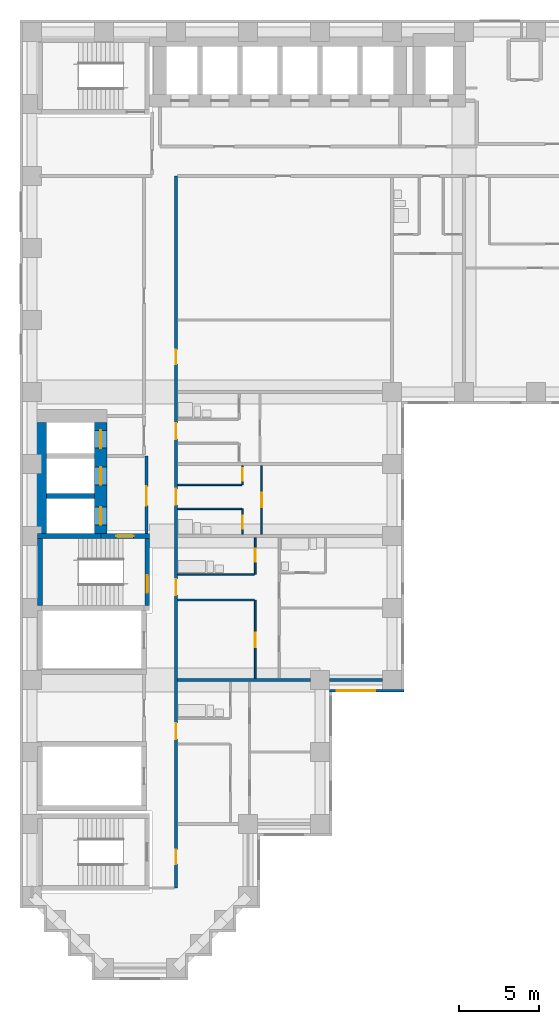
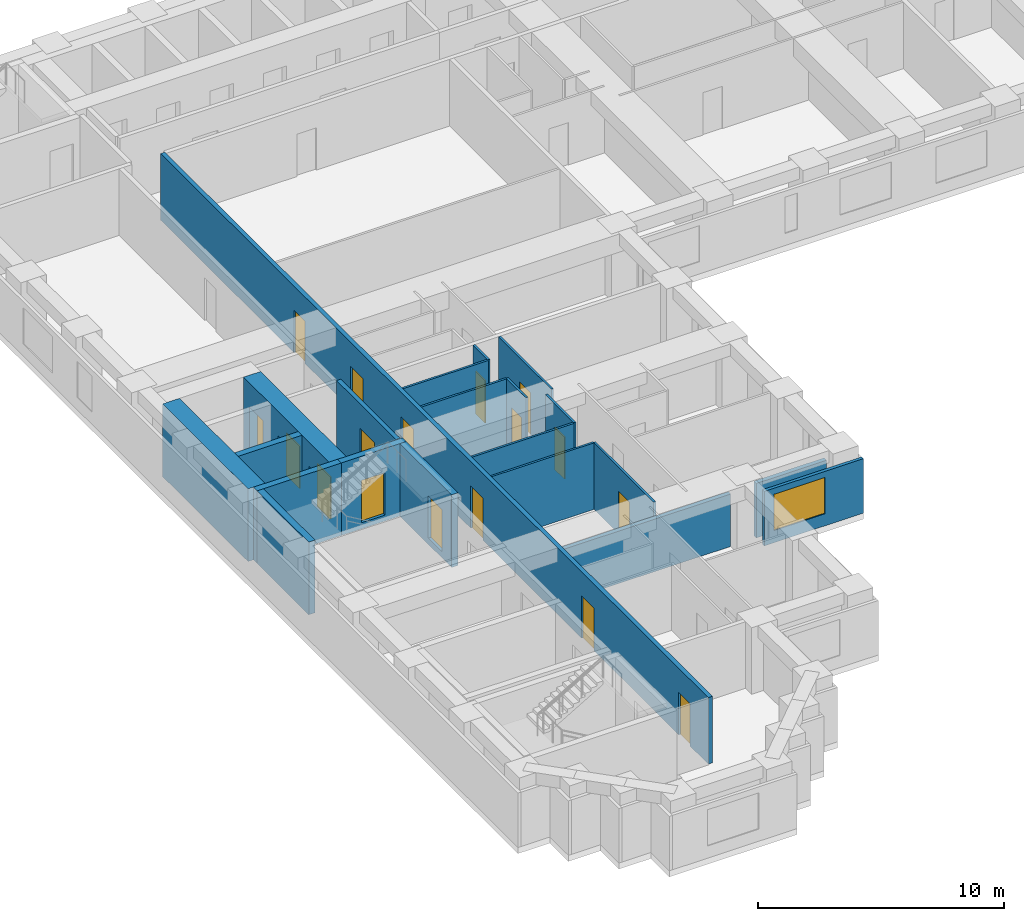
# One storey, part 3 of 11: 21 walls, 17 doors, 1 window, 18 openings.
"""IFC4 building model written with IfcOpenShell, lengths in metres."""

from ifc_helpers import new_model, si_unit, direction, frame, frame_2d, origin, place, context, subcontext, project, spatial, rectangle, extrude, material, layer, layer_set, type_object, element, fill, save


model = new_model("IFC4")

# Units and contexts
model_context = context("Model", 3, precision=1e-05, world=origin(), true_north=direction((0.0, 1.0)))
body_context = subcontext(model_context, "Body", "Model", "MODEL_VIEW")
ifc_project = project(units=[si_unit("LENGTHUNIT", "METRE"), si_unit("AREAUNIT", "SQUARE_METRE"), si_unit("VOLUMEUNIT", "CUBIC_METRE"), si_unit("PLANEANGLEUNIT", "RADIAN"), si_unit("MASSUNIT", "GRAM", prefix="KILO")], contexts=[model_context])

# Site, building, storey
site_placement = place(None, origin())
site = spatial("IfcSite", under=ifc_project, at=site_placement, CompositionType="ELEMENT")
building_placement = place(site_placement, origin())
building = spatial("IfcBuilding", under=site, at=building_placement, Name="Firuza Court", CompositionType="ELEMENT")
storey_placement = place(building_placement, frame((0.0, 0.0, 57.800048828125)))
storey = spatial("IfcBuildingStorey", under=building, at=storey_placement, Name="L13", CompositionType="ELEMENT", Elevation=57.800048828125)

# Walls
ifc_material_1 = material(Name="Moisture-resistant gypsum board partition")
ifc_layer_1 = layer(ifc_material_1, 0.10009765625)
ifc_layer_set_1 = layer_set([ifc_layer_1], Name="Moisture-resistant gypsum board partition")
wall_type_1 = type_object("IfcWallType", Name="Bathroom partition 100", PredefinedType="PLUMBINGWALL", material=ifc_layer_set_1)
wall_1_placement = place(storey_placement, frame((9.10009765625, 24.60009765625, 0.0), z_axis=(0.0, 0.0, 1.0), x_axis=(1.0, 0.0, 0.0)))
element("IfcWall", 1, at=wall_1_placement, inside=storey, type_object=wall_type_1, Name="Bathroom partition 100 L13", PredefinedType="PLUMBINGWALL", context=body_context, shape_type="SweptSolid", body=[
    extrude(rectangle(XDim=4.7998046875, YDim=0.10009765625, at=frame_2d((2.39990234375, 0.0))), origin(), (0.0, 0.0, 1.0), 3.300048828125),
])
wall_2_placement = place(storey_placement, frame((9.10009765625, 28.699951171875, 0.0), z_axis=(0.0, 0.0, 1.0), x_axis=(1.0, 0.0, 0.0)))
element("IfcWall", 2, at=wall_2_placement, inside=storey, type_object=wall_type_1, Name="Bathroom partition 100 L13", PredefinedType="PLUMBINGWALL", context=body_context, shape_type="SweptSolid", body=[
    extrude(rectangle(XDim=4.0, YDim=0.10009765625, at=frame_2d((2.0, 0.0))), origin(), (0.0, 0.0, 1.0), 3.300048828125),
])
ifc_material_2 = material(Name="Concrete C60/75", Category="concrete")
ifc_layer_2 = layer(ifc_material_2, 0.300048828125)
ifc_layer_set_2 = layer_set([ifc_layer_2], Name="Concrete C60/75")
wall_type_2 = type_object("IfcWallType", Name="Core wall 300 C60/75", PredefinedType="SHEAR", material=ifc_layer_set_2)
wall_3_placement = place(storey_placement, frame((0.35009765625, 27.0, -0.300048828125), z_axis=(0.0, 0.0, 1.0), x_axis=(1.0, 0.0, 0.0)))
element("IfcWall", 3, at=wall_3_placement, inside=storey, type_object=wall_type_2, Name="Core wall lift shaft L13", PredefinedType="SHEAR", context=body_context, shape_type="SweptSolid", body=[
    extrude(rectangle(XDim=3.949951171875, YDim=0.300048828125, at=frame_2d((1.97509765625, 0.0))), origin(), (0.0, 0.0, 1.0), 3.60009765625),
])
wall_4_placement = place(storey_placement, frame((0.5, 22.64990234375, -0.300048828125), z_axis=(0.0, 0.0, 1.0), x_axis=(0.0, 1.0, 0.0)))
element("IfcWall", 4, at=wall_4_placement, inside=storey, type_object=wall_type_2, Name="Core wall stair L13", PredefinedType="SHEAR", context=body_context, shape_type="SweptSolid", body=[
    extrude(rectangle(XDim=4.2001953125, YDim=0.300048828125, at=frame_2d((2.10009765625, 0.0))), origin(), (0.0, 0.0, 1.0), 3.60009765625),
])
wall_5_placement = place(storey_placement, frame((0.89990234375, 29.5, -0.300048828125), z_axis=(0.0, 0.0, 1.0), x_axis=(1.0, 0.0, 0.0)))
element("IfcWall", 5, at=wall_5_placement, inside=storey, type_object=wall_type_2, Name="Core wall lift shaft L13", PredefinedType="SHEAR", context=body_context, shape_type="SweptSolid", body=[
    extrude(rectangle(XDim=3.0, YDim=0.300048828125, at=frame_2d((1.5, 0.0))), origin(), (0.0, 0.0, 1.0), 3.60009765625),
])

# Wall, opening, door
wall_6_placement = place(storey_placement, frame((4.300048828125, 27.0, -0.300048828125), z_axis=(0.0, 0.0, 1.0), x_axis=(1.0, 0.0, 0.0)))
wall_6 = element("IfcWall", 6, at=wall_6_placement, inside=storey, type_object=wall_type_2, Name="Core wall stair L13", PredefinedType="SHEAR", context=body_context, shape_type="SweptSolid", body=[
    extrude(rectangle(XDim=3.050048828125, YDim=0.300048828125, at=frame_2d((1.52490234375, 0.0))), origin(), (0.0, 0.0, 1.0), 3.60009765625),
])
opening_1_placement = place(wall_6_placement, frame((0.949951171875, 0.0, 0.300048828125)))
opening_1 = element("IfcOpeningElement", 7, at=opening_1_placement, cuts=wall_6, Name="Opening D13014", PredefinedType="OPENING", context=body_context, shape_type="SweptSolid", body=[
    extrude(rectangle(XDim=1.10009765625, YDim=2.10009765625, at=frame_2d((0.550048828125, 1.050048828125))), frame((0.0, 0.162109375, 0.0), z_axis=(0.0, -1.0, 0.0), x_axis=(1.0, 0.0, 0.0)), (0.0, 0.0, 1.0), 0.323974609375),
])
ifc_material_3 = material(Name="Timber door leaf in hardwood frame", Category="wood")
door_type_1 = type_object("IfcDoorType", Name="Stair door 1100", OperationType="SINGLE_SWING_LEFT", PredefinedType="DOOR", material=ifc_material_3)
door_1_placement = place(opening_1_placement, frame((1.10009765625, 0.0, 0.0), z_axis=(0.0, 0.0, 1.0), x_axis=(-1.0, 0.0, 0.0)))
door_1 = element("IfcDoor", 8, at=door_1_placement, inside=storey, type_object=door_type_1, Name="Fire-fighting lobby door", OperationType="SINGLE_SWING_LEFT", OverallHeight=2.10009765625, OverallWidth=1.10009765625, PredefinedType="DOOR", context=body_context, shape_type="SweptSolid", body=[
    extrude(rectangle(XDim=1.10009765625, YDim=2.10009765625, at=frame_2d((0.550048828125, 1.050048828125))), frame((0.0, 0.02490234375, 0.0), z_axis=(0.0, -1.0, 0.0), x_axis=(1.0, 0.0, 0.0)), (0.0, 0.0, 1.0), 0.050048828125),
])
fill(opening_1, door_1)

wall_7_placement = place(storey_placement, frame((7.199951171875, 22.64990234375, -0.300048828125), z_axis=(0.0, 0.0, 1.0), x_axis=(0.0, 1.0, 0.0)))
wall_7 = element("IfcWall", 9, at=wall_7_placement, inside=storey, type_object=wall_type_2, Name="Core wall stair L13", PredefinedType="SHEAR", context=body_context, shape_type="SweptSolid", body=[
    extrude(rectangle(XDim=4.2001953125, YDim=0.300048828125, at=frame_2d((2.10009765625, 0.0))), origin(), (0.0, 0.0, 1.0), 3.60009765625),
])
opening_2_placement = place(wall_7_placement, frame((0.800048828125, 0.0, 0.300048828125)))
opening_2 = element("IfcOpeningElement", 10, at=opening_2_placement, cuts=wall_7, Name="Opening D13015", PredefinedType="OPENING", context=body_context, shape_type="SweptSolid", body=[
    extrude(rectangle(XDim=1.10009765625, YDim=2.10009765625, at=frame_2d((0.550048828125, 1.050048828125))), frame((0.0, 0.162109375, 0.0), z_axis=(0.0, -1.0, 0.0), x_axis=(1.0, 0.0, 0.0)), (0.0, 0.0, 1.0), 0.323974609375),
])
door_2_placement = place(opening_2_placement, origin())
door_2 = element("IfcDoor", 11, at=door_2_placement, inside=storey, type_object=door_type_1, Name="Stair door S2", OperationType="SINGLE_SWING_LEFT", OverallHeight=2.10009765625, OverallWidth=1.10009765625, PredefinedType="DOOR", context=body_context, shape_type="SweptSolid", body=[
    extrude(rectangle(XDim=1.10009765625, YDim=2.10009765625, at=frame_2d((0.550048828125, 1.050048828125))), frame((0.0, 0.02490234375, 0.0), z_axis=(0.0, -1.0, 0.0), x_axis=(1.0, 0.0, 0.0)), (0.0, 0.0, 1.0), 0.050048828125),
])
fill(opening_2, door_2)

# Wall
ifc_layer_3 = layer(ifc_material_2, 0.800048828125)
ifc_layer_set_3 = layer_set([ifc_layer_3], Name="Concrete C60/75")
wall_type_3 = type_object("IfcWallType", Name="Core wall 800 C60/75", PredefinedType="SHEAR", material=ifc_layer_set_3)
wall_8_placement = place(storey_placement, frame((0.5, 27.14990234375, -0.300048828125), z_axis=(0.0, 0.0, 1.0), x_axis=(0.0, 1.0, 0.0)))
element("IfcWall", 12, at=wall_8_placement, inside=storey, type_object=wall_type_3, Name="Core wall lift shaft L13", PredefinedType="SHEAR", context=body_context, shape_type="SweptSolid", body=[
    extrude(rectangle(XDim=6.9501953125, YDim=0.800048828125, at=frame_2d((3.47509765625, 0.0))), origin(), (0.0, 0.0, 1.0), 3.60009765625),
])

# Wall, openings, doors
wall_9_placement = place(storey_placement, frame((4.300048828125, 27.14990234375, -0.300048828125), z_axis=(0.0, 0.0, 1.0), x_axis=(0.0, 1.0, 0.0)))
wall_9 = element("IfcWall", 13, at=wall_9_placement, inside=storey, type_object=wall_type_3, Name="Core wall lift shaft L13", PredefinedType="SHEAR", context=body_context, shape_type="SweptSolid", body=[
    extrude(rectangle(XDim=6.9501953125, YDim=0.800048828125, at=frame_2d((3.47509765625, 0.0))), origin(), (0.0, 0.0, 1.0), 3.60009765625),
])
opening_3_placement = place(wall_9_placement, frame((3.050048828125, 0.0, 0.300048828125)))
opening_3 = element("IfcOpeningElement", 14, at=opening_3_placement, cuts=wall_9, Name="Opening LD-FL1-13", PredefinedType="OPENING", context=body_context, shape_type="SweptSolid", body=[
    extrude(rectangle(XDim=1.10009765625, YDim=2.10009765625, at=frame_2d((0.550048828125, 1.050048828125))), frame((0.0, 0.412109375, 0.0), z_axis=(0.0, -1.0, 0.0), x_axis=(1.0, 0.0, 0.0)), (0.0, 0.0, 1.0), 0.823974609375),
])
opening_4_placement = place(wall_9_placement, frame((0.550048828125, 0.0, 0.300048828125)))
opening_4 = element("IfcOpeningElement", 15, at=opening_4_placement, cuts=wall_9, Name="Opening LD-FL2-13", PredefinedType="OPENING", context=body_context, shape_type="SweptSolid", body=[
    extrude(rectangle(XDim=1.10009765625, YDim=2.10009765625, at=frame_2d((0.550048828125, 1.050048828125))), frame((0.0, 0.412109375, 0.0), z_axis=(0.0, -1.0, 0.0), x_axis=(1.0, 0.0, 0.0)), (0.0, 0.0, 1.0), 0.823974609375),
])
opening_5_placement = place(wall_9_placement, frame((5.35009765625, 0.0, 0.300048828125)))
opening_5 = element("IfcOpeningElement", 16, at=opening_5_placement, cuts=wall_9, Name="Opening LD-SL1-13", PredefinedType="OPENING", context=body_context, shape_type="SweptSolid", body=[
    extrude(rectangle(XDim=1.10009765625, YDim=2.10009765625, at=frame_2d((0.550048828125, 1.050048828125))), frame((0.0, 0.412109375, 0.0), z_axis=(0.0, -1.0, 0.0), x_axis=(1.0, 0.0, 0.0)), (0.0, 0.0, 1.0), 0.823974609375),
])
ifc_material_4 = material(Name="Stainless steel 1.4301 door leaf", Category="steel")
door_type_2 = type_object("IfcDoorType", Name="Lift landing door 1100", OperationType="SLIDING_TO_LEFT", PredefinedType="DOOR", material=ifc_material_4)
door_3_placement = place(opening_3_placement, origin())
door_3 = element("IfcDoor", 17, at=door_3_placement, inside=storey, type_object=door_type_2, Name="Landing door FL1", OperationType="SLIDING_TO_LEFT", OverallHeight=2.10009765625, OverallWidth=1.10009765625, PredefinedType="DOOR", context=body_context, shape_type="SweptSolid", body=[
    extrude(rectangle(XDim=1.10009765625, YDim=2.10009765625, at=frame_2d((0.550048828125, 1.050048828125))), frame((0.0, 0.02490234375, 0.0), z_axis=(0.0, -1.0, 0.0), x_axis=(1.0, 0.0, 0.0)), (0.0, 0.0, 1.0), 0.050048828125),
])
fill(opening_3, door_3)
door_4_placement = place(opening_4_placement, origin())
door_4 = element("IfcDoor", 18, at=door_4_placement, inside=storey, type_object=door_type_2, Name="Landing door FL2", OperationType="SLIDING_TO_LEFT", OverallHeight=2.10009765625, OverallWidth=1.10009765625, PredefinedType="DOOR", context=body_context, shape_type="SweptSolid", body=[
    extrude(rectangle(XDim=1.10009765625, YDim=2.10009765625, at=frame_2d((0.550048828125, 1.050048828125))), frame((0.0, 0.02490234375, 0.0), z_axis=(0.0, -1.0, 0.0), x_axis=(1.0, 0.0, 0.0)), (0.0, 0.0, 1.0), 0.050048828125),
])
fill(opening_4, door_4)
door_5_placement = place(opening_5_placement, origin())
door_5 = element("IfcDoor", 19, at=door_5_placement, inside=storey, type_object=door_type_2, Name="Landing door SL1", OperationType="SLIDING_TO_LEFT", OverallHeight=2.10009765625, OverallWidth=1.10009765625, PredefinedType="DOOR", context=body_context, shape_type="SweptSolid", body=[
    extrude(rectangle(XDim=1.10009765625, YDim=2.10009765625, at=frame_2d((0.550048828125, 1.050048828125))), frame((0.0, 0.02490234375, 0.0), z_axis=(0.0, -1.0, 0.0), x_axis=(1.0, 0.0, 0.0)), (0.0, 0.0, 1.0), 0.050048828125),
])
fill(opening_5, door_5)

ifc_material_5 = material(Name="Blockwork, plastered both sides", Category="masonry")
ifc_layer_4 = layer(ifc_material_5, 0.199951171875)
ifc_layer_set_4 = layer_set([ifc_layer_4], Name="Blockwork, plastered both sides")
wall_type_4 = type_object("IfcWallType", Name="Corridor wall 200", PredefinedType="PARTITIONING", material=ifc_layer_set_4)
wall_10_placement = place(storey_placement, frame((9.0, 5.0, 0.0), z_axis=(0.0, 0.0, 1.0), x_axis=(0.0, 1.0, 0.0)))
wall_10 = element("IfcWall", 20, at=wall_10_placement, inside=storey, type_object=wall_type_4, Name="Corridor wall 200 L13", PredefinedType="PARTITIONING", context=body_context, shape_type="SweptSolid", body=[
    extrude(rectangle(XDim=44.5, YDim=0.199951171875, at=frame_2d((22.25, 0.0))), origin(), (0.0, 0.0, 1.0), 3.300048828125),
])
opening_6_placement = place(wall_10_placement, frame((28.050048828125, 0.0, 0.0)))
opening_6 = element("IfcOpeningElement", 21, at=opening_6_placement, cuts=wall_10, Name="Opening D13019", PredefinedType="OPENING", context=body_context, shape_type="SweptSolid", body=[
    extrude(rectangle(XDim=1.0, YDim=2.10009765625, at=frame_2d((0.5, 1.050048828125))), frame((0.0, 0.11181640625, 0.0), z_axis=(0.0, -1.0, 0.0), x_axis=(1.0, 0.0, 0.0)), (0.0, 0.0, 1.0), 0.223876953125),
])
opening_7_placement = place(wall_10_placement, frame((23.949951171875, 0.0, 0.0)))
opening_7 = element("IfcOpeningElement", 22, at=opening_7_placement, cuts=wall_10, Name="Opening D13020", PredefinedType="OPENING", context=body_context, shape_type="SweptSolid", body=[
    extrude(rectangle(XDim=1.0, YDim=2.10009765625, at=frame_2d((0.5, 1.050048828125))), frame((0.0, 0.11181640625, 0.0), z_axis=(0.0, -1.0, 0.0), x_axis=(1.0, 0.0, 0.0)), (0.0, 0.0, 1.0), 0.223876953125),
])
opening_8_placement = place(wall_10_placement, frame((18.300048828125, 0.0, 0.0)))
opening_8 = element("IfcOpeningElement", 23, at=opening_8_placement, cuts=wall_10, Name="Opening D13021", PredefinedType="OPENING", context=body_context, shape_type="SweptSolid", body=[
    extrude(rectangle(XDim=1.0, YDim=2.10009765625, at=frame_2d((0.5, 1.050048828125))), frame((0.0, 0.11181640625, 0.0), z_axis=(0.0, -1.0, 0.0), x_axis=(1.0, 0.0, 0.0)), (0.0, 0.0, 1.0), 0.223876953125),
])
opening_9_placement = place(wall_10_placement, frame((9.300048828125, 0.0, 0.0)))
opening_9 = element("IfcOpeningElement", 24, at=opening_9_placement, cuts=wall_10, Name="Opening D13022", PredefinedType="OPENING", context=body_context, shape_type="SweptSolid", body=[
    extrude(rectangle(XDim=1.0, YDim=2.10009765625, at=frame_2d((0.5, 1.050048828125))), frame((0.0, 0.11181640625, 0.0), z_axis=(0.0, -1.0, 0.0), x_axis=(1.0, 0.0, 0.0)), (0.0, 0.0, 1.0), 0.223876953125),
])
opening_10_placement = place(wall_10_placement, frame((32.75, 0.0, 0.0)))
opening_10 = element("IfcOpeningElement", 25, at=opening_10_placement, cuts=wall_10, Name="Opening D13023", PredefinedType="OPENING", context=body_context, shape_type="SweptSolid", body=[
    extrude(rectangle(XDim=0.89990234375, YDim=2.10009765625, at=frame_2d((0.449951171875, 1.050048828125))), frame((0.0, 0.11181640625, 0.0), z_axis=(0.0, -1.0, 0.0), x_axis=(1.0, 0.0, 0.0)), (0.0, 0.0, 1.0), 0.223876953125),
])
opening_11_placement = place(wall_10_placement, frame((1.5, 0.0, 0.0)))
opening_11 = element("IfcOpeningElement", 26, at=opening_11_placement, cuts=wall_10, Name="Opening D13024", PredefinedType="OPENING", context=body_context, shape_type="SweptSolid", body=[
    extrude(rectangle(XDim=0.89990234375, YDim=2.10009765625, at=frame_2d((0.449951171875, 1.050048828125))), frame((0.0, 0.11181640625, 0.0), z_axis=(0.0, -1.0, 0.0), x_axis=(1.0, 0.0, 0.0)), (0.0, 0.0, 1.0), 0.223876953125),
])
ifc_material_6 = material(Name="Timber door leaf in hardwood frame", Category="wood")
door_type_3 = type_object("IfcDoorType", Name="Flat entrance door 1000", OperationType="SINGLE_SWING_LEFT", PredefinedType="DOOR", material=ifc_material_6)
door_6_placement = place(opening_6_placement, origin())
door_6 = element("IfcDoor", 27, at=door_6_placement, inside=storey, type_object=door_type_3, Name="Flat entrance door", OperationType="SINGLE_SWING_LEFT", OverallHeight=2.10009765625, OverallWidth=1.0, PredefinedType="DOOR", context=body_context, shape_type="SweptSolid", body=[
    extrude(rectangle(XDim=1.0, YDim=2.10009765625, at=frame_2d((0.5, 1.050048828125))), frame((0.0, 0.02490234375, 0.0), z_axis=(0.0, -1.0, 0.0), x_axis=(1.0, 0.0, 0.0)), (0.0, 0.0, 1.0), 0.050048828125),
])
fill(opening_6, door_6)
door_7_placement = place(opening_7_placement, origin())
door_7 = element("IfcDoor", 28, at=door_7_placement, inside=storey, type_object=door_type_3, Name="Flat entrance door", OperationType="SINGLE_SWING_LEFT", OverallHeight=2.10009765625, OverallWidth=1.0, PredefinedType="DOOR", context=body_context, shape_type="SweptSolid", body=[
    extrude(rectangle(XDim=1.0, YDim=2.10009765625, at=frame_2d((0.5, 1.050048828125))), frame((0.0, 0.02490234375, 0.0), z_axis=(0.0, -1.0, 0.0), x_axis=(1.0, 0.0, 0.0)), (0.0, 0.0, 1.0), 0.050048828125),
])
fill(opening_7, door_7)
door_8_placement = place(opening_8_placement, origin())
door_8 = element("IfcDoor", 29, at=door_8_placement, inside=storey, type_object=door_type_3, Name="Flat entrance door", OperationType="SINGLE_SWING_LEFT", OverallHeight=2.10009765625, OverallWidth=1.0, PredefinedType="DOOR", context=body_context, shape_type="SweptSolid", body=[
    extrude(rectangle(XDim=1.0, YDim=2.10009765625, at=frame_2d((0.5, 1.050048828125))), frame((0.0, 0.02490234375, 0.0), z_axis=(0.0, -1.0, 0.0), x_axis=(1.0, 0.0, 0.0)), (0.0, 0.0, 1.0), 0.050048828125),
])
fill(opening_8, door_8)
door_9_placement = place(opening_9_placement, origin())
door_9 = element("IfcDoor", 30, at=door_9_placement, inside=storey, type_object=door_type_3, Name="Flat entrance door", OperationType="SINGLE_SWING_LEFT", OverallHeight=2.10009765625, OverallWidth=1.0, PredefinedType="DOOR", context=body_context, shape_type="SweptSolid", body=[
    extrude(rectangle(XDim=1.0, YDim=2.10009765625, at=frame_2d((0.5, 1.050048828125))), frame((0.0, 0.02490234375, 0.0), z_axis=(0.0, -1.0, 0.0), x_axis=(1.0, 0.0, 0.0)), (0.0, 0.0, 1.0), 0.050048828125),
])
fill(opening_9, door_9)
ifc_material_7 = material(Name="Timber door leaf in hardwood frame", Category="wood")
door_type_4 = type_object("IfcDoorType", Name="Room door 900 EI 30", OperationType="SINGLE_SWING_LEFT", PredefinedType="DOOR", material=ifc_material_7)
door_10_placement = place(opening_10_placement, frame((0.89990234375, 0.0, 0.0), z_axis=(0.0, 0.0, 1.0), x_axis=(-1.0, 0.0, 0.0)))
door_10 = element("IfcDoor", 31, at=door_10_placement, inside=storey, type_object=door_type_4, Name="Playroom door", OperationType="SINGLE_SWING_RIGHT", OverallHeight=2.10009765625, OverallWidth=0.89990234375, PredefinedType="DOOR", context=body_context, shape_type="SweptSolid", body=[
    extrude(rectangle(XDim=0.89990234375, YDim=2.10009765625, at=frame_2d((0.449951171875, 1.050048828125))), frame((0.0, 0.02490234375, 0.0), z_axis=(0.0, -1.0, 0.0), x_axis=(1.0, 0.0, 0.0)), (0.0, 0.0, 1.0), 0.050048828125),
])
fill(opening_10, door_10)
door_11_placement = place(opening_11_placement, frame((0.89990234375, 0.0, 0.0), z_axis=(0.0, 0.0, 1.0), x_axis=(-1.0, 0.0, 0.0)))
door_11 = element("IfcDoor", 32, at=door_11_placement, inside=storey, type_object=door_type_4, Name="Library door", OperationType="SINGLE_SWING_LEFT", OverallHeight=2.10009765625, OverallWidth=0.89990234375, PredefinedType="DOOR", context=body_context, shape_type="SweptSolid", body=[
    extrude(rectangle(XDim=0.89990234375, YDim=2.10009765625, at=frame_2d((0.449951171875, 1.050048828125))), frame((0.0, 0.02490234375, 0.0), z_axis=(0.0, -1.0, 0.0), x_axis=(1.0, 0.0, 0.0)), (0.0, 0.0, 1.0), 0.050048828125),
])
fill(opening_11, door_11)

# Wall, opening, door
ifc_material_8 = material(Name="Timber stud partition, plasterboard both sides", Category="wood")
ifc_layer_5 = layer(ifc_material_8, 0.10009765625)
ifc_layer_set_5 = layer_set([ifc_layer_5], Name="Timber stud partition, plasterboard both sides")
wall_type_5 = type_object("IfcWallType", Name="Partition wall 100", PredefinedType="PARTITIONING", material=ifc_layer_set_5)
wall_11_placement = place(storey_placement, frame((13.949951171875, 18.10009765625, 0.0), z_axis=(0.0, 0.0, 1.0), x_axis=(0.0, 1.0, 0.0)))
wall_11 = element("IfcWall", 33, at=wall_11_placement, inside=storey, type_object=wall_type_5, Name="Partition wall 100 L13", PredefinedType="PARTITIONING", context=body_context, shape_type="SweptSolid", body=[
    extrude(rectangle(XDim=4.89990234375, YDim=0.10009765625, at=frame_2d((2.449951171875, 0.0))), origin(), (0.0, 0.0, 1.0), 3.300048828125),
])
opening_12_placement = place(wall_11_placement, frame((1.949951171875, 0.0, 0.0)))
opening_12 = element("IfcOpeningElement", 34, at=opening_12_placement, cuts=wall_11, Name="Opening D13030", PredefinedType="OPENING", context=body_context, shape_type="SweptSolid", body=[
    extrude(rectangle(XDim=0.89990234375, YDim=2.10009765625, at=frame_2d((0.449951171875, 1.050048828125))), frame((0.0, 0.06201171875, 0.0), z_axis=(0.0, -1.0, 0.0), x_axis=(1.0, 0.0, 0.0)), (0.0, 0.0, 1.0), 0.1240234375),
])
ifc_material_9 = material(Name="Timber door leaf in hardwood frame", Category="wood")
door_type_5 = type_object("IfcDoorType", Name="Room door 900", OperationType="SINGLE_SWING_LEFT", PredefinedType="DOOR", material=ifc_material_9)
door_12_placement = place(opening_12_placement, origin())
door_12 = element("IfcDoor", 35, at=door_12_placement, inside=storey, type_object=door_type_5, Name="Kitchen door", OperationType="SINGLE_SWING_LEFT", OverallHeight=2.10009765625, OverallWidth=0.89990234375, PredefinedType="DOOR", context=body_context, shape_type="SweptSolid", body=[
    extrude(rectangle(XDim=0.89990234375, YDim=2.10009765625, at=frame_2d((0.449951171875, 1.050048828125))), frame((0.0, 0.02490234375, 0.0), z_axis=(0.0, -1.0, 0.0), x_axis=(1.0, 0.0, 0.0)), (0.0, 0.0, 1.0), 0.050048828125),
])
fill(opening_12, door_12)

# Wall
wall_12_placement = place(storey_placement, frame((9.10009765625, 23.0, 0.0), z_axis=(0.0, 0.0, 1.0), x_axis=(1.0, 0.0, 0.0)))
element("IfcWall", 36, at=wall_12_placement, inside=storey, type_object=wall_type_5, Name="Partition wall 100 L13", PredefinedType="PARTITIONING", context=body_context, shape_type="SweptSolid", body=[
    extrude(rectangle(XDim=4.7998046875, YDim=0.10009765625, at=frame_2d((2.39990234375, 0.0))), origin(), (0.0, 0.0, 1.0), 3.300048828125),
])

# Wall, opening, door
wall_13_placement = place(storey_placement, frame((13.949951171875, 24.60009765625, 0.0), z_axis=(0.0, 0.0, 1.0), x_axis=(0.0, 1.0, 0.0)))
wall_13 = element("IfcWall", 37, at=wall_13_placement, inside=storey, type_object=wall_type_5, Name="Partition wall 100 L13", PredefinedType="PARTITIONING", context=body_context, shape_type="SweptSolid", body=[
    extrude(rectangle(XDim=2.2998046875, YDim=0.10009765625, at=frame_2d((1.14990234375, 0.0))), origin(), (0.0, 0.0, 1.0), 3.300048828125),
])
opening_13_placement = place(wall_13_placement, frame((0.800048828125, 0.0, 0.0)))
opening_13 = element("IfcOpeningElement", 38, at=opening_13_placement, cuts=wall_13, Name="Opening D13033", PredefinedType="OPENING", context=body_context, shape_type="SweptSolid", body=[
    extrude(rectangle(XDim=0.800048828125, YDim=2.10009765625, at=frame_2d((0.39990234375, 1.050048828125))), frame((0.0, 0.06201171875, 0.0), z_axis=(0.0, -1.0, 0.0), x_axis=(1.0, 0.0, 0.0)), (0.0, 0.0, 1.0), 0.1240234375),
])
ifc_material_10 = material(Name="Timber door leaf in hardwood frame", Category="wood")
door_type_6 = type_object("IfcDoorType", Name="Bathroom door 800", OperationType="SINGLE_SWING_LEFT", PredefinedType="DOOR", material=ifc_material_10)
door_13_placement = place(opening_13_placement, origin())
door_13 = element("IfcDoor", 39, at=door_13_placement, inside=storey, type_object=door_type_6, Name="Bathroom door", OperationType="SINGLE_SWING_LEFT", OverallHeight=2.10009765625, OverallWidth=0.800048828125, PredefinedType="DOOR", context=body_context, shape_type="SweptSolid", body=[
    extrude(rectangle(XDim=0.800048828125, YDim=2.10009765625, at=frame_2d((0.39990234375, 1.050048828125))), frame((0.0, 0.02490234375, 0.0), z_axis=(0.0, -1.0, 0.0), x_axis=(1.0, 0.0, 0.0)), (0.0, 0.0, 1.0), 0.050048828125),
])
fill(opening_13, door_13)

wall_14_placement = place(storey_placement, frame((13.14990234375, 27.10009765625, 0.0), z_axis=(0.0, 0.0, 1.0), x_axis=(0.0, 1.0, 0.0)))
wall_14 = element("IfcWall", 40, at=wall_14_placement, inside=storey, type_object=wall_type_5, Name="Partition wall 100 L13", PredefinedType="PARTITIONING", context=body_context, shape_type="SweptSolid", body=[
    extrude(rectangle(XDim=1.599853515625, YDim=0.10009765625, at=frame_2d((0.7998046875, 0.0))), origin(), (0.0, 0.0, 1.0), 3.300048828125),
])
opening_14_placement = place(wall_14_placement, frame((0.35009765625, 0.0, 0.0)))
opening_14 = element("IfcOpeningElement", 41, at=opening_14_placement, cuts=wall_14, Name="Opening D13035", PredefinedType="OPENING", context=body_context, shape_type="SweptSolid", body=[
    extrude(rectangle(XDim=0.800048828125, YDim=2.10009765625, at=frame_2d((0.39990234375, 1.050048828125))), frame((0.0, 0.06201171875, 0.0), z_axis=(0.0, -1.0, 0.0), x_axis=(1.0, 0.0, 0.0)), (0.0, 0.0, 1.0), 0.1240234375),
])
door_14_placement = place(opening_14_placement, origin())
door_14 = element("IfcDoor", 42, at=door_14_placement, inside=storey, type_object=door_type_6, Name="Bathroom door", OperationType="SINGLE_SWING_LEFT", OverallHeight=2.10009765625, OverallWidth=0.800048828125, PredefinedType="DOOR", context=body_context, shape_type="SweptSolid", body=[
    extrude(rectangle(XDim=0.800048828125, YDim=2.10009765625, at=frame_2d((0.39990234375, 1.050048828125))), frame((0.0, 0.02490234375, 0.0), z_axis=(0.0, -1.0, 0.0), x_axis=(1.0, 0.0, 0.0)), (0.0, 0.0, 1.0), 0.050048828125),
])
fill(opening_14, door_14)

wall_15_placement = place(storey_placement, frame((14.35009765625, 27.10009765625, 0.0), z_axis=(0.0, 0.0, 1.0), x_axis=(0.0, 1.0, 0.0)))
wall_15 = element("IfcWall", 43, at=wall_15_placement, inside=storey, type_object=wall_type_5, Name="Partition wall 100 L13", PredefinedType="PARTITIONING", context=body_context, shape_type="SweptSolid", body=[
    extrude(rectangle(XDim=4.2998046875, YDim=0.10009765625, at=frame_2d((2.14990234375, 0.0))), origin(), (0.0, 0.0, 1.0), 3.300048828125),
])
opening_15_placement = place(wall_15_placement, frame((1.699951171875, 0.0, 0.0)))
opening_15 = element("IfcOpeningElement", 44, at=opening_15_placement, cuts=wall_15, Name="Opening D13036", PredefinedType="OPENING", context=body_context, shape_type="SweptSolid", body=[
    extrude(rectangle(XDim=0.89990234375, YDim=2.10009765625, at=frame_2d((0.449951171875, 1.050048828125))), frame((0.0, 0.06201171875, 0.0), z_axis=(0.0, -1.0, 0.0), x_axis=(1.0, 0.0, 0.0)), (0.0, 0.0, 1.0), 0.1240234375),
])
door_15_placement = place(opening_15_placement, frame((0.89990234375, 0.0, 0.0), z_axis=(0.0, 0.0, 1.0), x_axis=(-1.0, 0.0, 0.0)))
door_15 = element("IfcDoor", 45, at=door_15_placement, inside=storey, type_object=door_type_5, Name="Studio room door", OperationType="SINGLE_SWING_RIGHT", OverallHeight=2.10009765625, OverallWidth=0.89990234375, PredefinedType="DOOR", context=body_context, shape_type="SweptSolid", body=[
    extrude(rectangle(XDim=0.89990234375, YDim=2.10009765625, at=frame_2d((0.449951171875, 1.050048828125))), frame((0.0, 0.02490234375, 0.0), z_axis=(0.0, -1.0, 0.0), x_axis=(1.0, 0.0, 0.0)), (0.0, 0.0, 1.0), 0.050048828125),
])
fill(opening_15, door_15)

# Wall
wall_16_placement = place(storey_placement, frame((9.10009765625, 30.199951171875, 0.0), z_axis=(0.0, 0.0, 1.0), x_axis=(1.0, 0.0, 0.0)))
element("IfcWall", 46, at=wall_16_placement, inside=storey, type_object=wall_type_5, Name="Partition wall 100 L13", PredefinedType="PARTITIONING", context=body_context, shape_type="SweptSolid", body=[
    extrude(rectangle(XDim=4.0, YDim=0.10009765625, at=frame_2d((2.0, 0.0))), origin(), (0.0, 0.0, 1.0), 3.300048828125),
])

# Wall, opening, door
wall_17_placement = place(storey_placement, frame((13.14990234375, 30.199951171875, 0.0), z_axis=(0.0, 0.0, 1.0), x_axis=(0.0, 1.0, 0.0)))
wall_17 = element("IfcWall", 47, at=wall_17_placement, inside=storey, type_object=wall_type_5, Name="Partition wall 100 L13", PredefinedType="PARTITIONING", context=body_context, shape_type="SweptSolid", body=[
    extrude(rectangle(XDim=1.199951171875, YDim=0.10009765625, at=frame_2d((0.60009765625, 0.0))), origin(), (0.0, 0.0, 1.0), 3.300048828125),
])
opening_16_placement = place(wall_17_placement, frame((0.25, 0.0, 0.0)))
opening_16 = element("IfcOpeningElement", 48, at=opening_16_placement, cuts=wall_17, Name="Opening D13037", PredefinedType="OPENING", context=body_context, shape_type="SweptSolid", body=[
    extrude(rectangle(XDim=0.800048828125, YDim=2.10009765625, at=frame_2d((0.39990234375, 1.050048828125))), frame((0.0, 0.06201171875, 0.0), z_axis=(0.0, -1.0, 0.0), x_axis=(1.0, 0.0, 0.0)), (0.0, 0.0, 1.0), 0.1240234375),
])
ifc_material_11 = material(Name="Timber door leaf in hardwood frame", Category="wood")
door_type_7 = type_object("IfcDoorType", Name="Room door 800", OperationType="SINGLE_SWING_LEFT", PredefinedType="DOOR", material=ifc_material_11)
door_16_placement = place(opening_16_placement, origin())
door_16 = element("IfcDoor", 49, at=door_16_placement, inside=storey, type_object=door_type_7, Name="Kitchen door", OperationType="SINGLE_SWING_LEFT", OverallHeight=2.10009765625, OverallWidth=0.800048828125, PredefinedType="DOOR", context=body_context, shape_type="SweptSolid", body=[
    extrude(rectangle(XDim=0.800048828125, YDim=2.10009765625, at=frame_2d((0.39990234375, 1.050048828125))), frame((0.0, 0.02490234375, 0.0), z_axis=(0.0, -1.0, 0.0), x_axis=(1.0, 0.0, 0.0)), (0.0, 0.0, 1.0), 0.050048828125),
])
fill(opening_16, door_16)

# Walls
ifc_layer_6 = layer(ifc_material_5, 0.199951171875)
ifc_layer_set_6 = layer_set([ifc_layer_6], Name="Blockwork, plastered both sides")
wall_type_6 = type_object("IfcWallType", Name="Party wall 200", PredefinedType="PARTITIONING", material=ifc_layer_set_6)
wall_18_placement = place(storey_placement, frame((9.10009765625, 18.0, 0.0), z_axis=(0.0, 0.0, 1.0), x_axis=(1.0, 0.0, 0.0)))
element("IfcWall", 50, at=wall_18_placement, inside=storey, type_object=wall_type_6, Name="Party wall 200 L13", PredefinedType="PARTITIONING", context=body_context, shape_type="SweptSolid", body=[
    extrude(rectangle(XDim=8.2998046875, YDim=0.199951171875, at=frame_2d((4.14990234375, 0.0))), origin(), (0.0, 0.0, 1.0), 2.599853515625),
])
wall_19_placement = place(storey_placement, frame((18.60009765625, 18.0, 0.0), z_axis=(0.0, 0.0, 1.0), x_axis=(1.0, 0.0, 0.0)))
element("IfcWall", 51, at=wall_19_placement, inside=storey, type_object=wall_type_6, Name="Party wall 200 L13", PredefinedType="PARTITIONING", context=body_context, shape_type="SweptSolid", body=[
    extrude(rectangle(XDim=3.2998046875, YDim=0.199951171875, at=frame_2d((1.64990234375, 0.0))), origin(), (0.0, 0.0, 1.0), 2.699951171875),
])

# Wall, opening, window
ifc_material_12 = material(Name="Ceramic tile", Category="ceramic")
ifc_layer_7 = layer(ifc_material_12, 0.02001953125)
ifc_material_13 = material(Name="Mineral wool insulation", Category="insulation")
ifc_layer_8 = layer(ifc_material_13, 0.050048828125)
ifc_material_14 = material(Name="Concrete C40/50 precast", Category="concrete")
ifc_layer_9 = layer(ifc_material_14, 0.080078125)
ifc_layer_set_7 = layer_set([ifc_layer_7, ifc_layer_8, ifc_layer_9], Name="Concrete C40/50 precast")
wall_type_7 = type_object("IfcWallType", Name="Precast cladding wall with turquoise TILE PANEL face 150", PredefinedType="STANDARD", material=ifc_layer_set_7)
wall_20_placement = place(storey_placement, frame((18.60009765625, 17.324951171875, 0.0), z_axis=(0.0, 0.0, 1.0), x_axis=(1.0, 0.0, 0.0)))
wall_20 = element("IfcWall", 52, at=wall_20_placement, inside=storey, type_object=wall_type_7, Name="Facade wall L13 S", PredefinedType="STANDARD", context=body_context, shape_type="SweptSolid", body=[
    extrude(rectangle(XDim=4.64990234375, YDim=0.14990234375, at=frame_2d((2.324951171875, 0.0))), origin(), (0.0, 0.0, 1.0), 2.699951171875),
])
opening_17_placement = place(wall_20_placement, frame((0.449951171875, 0.0, 0.60009765625)))
opening_17 = element("IfcOpeningElement", 53, at=opening_17_placement, cuts=wall_20, Name="Opening W1", PredefinedType="OPENING", context=body_context, shape_type="SweptSolid", body=[
    extrude(rectangle(XDim=2.39990234375, YDim=1.800048828125, at=frame_2d((1.199951171875, 0.89990234375))), frame((0.0, 0.0869140625, 0.0), z_axis=(0.0, -1.0, 0.0), x_axis=(1.0, 0.0, 0.0)), (0.0, 0.0, 1.0), 0.173828125),
])
ifc_material_15 = material(Name="Aluminium frame, triple clear glazing", Category="aluminium")
window_type = type_object("IfcWindowType", Name="Window W1 2400 x 1800", PartitioningType="SINGLE_PANEL", PredefinedType="WINDOW", material=ifc_material_15)
window_placement = place(opening_17_placement, origin())
window = element("IfcWindow", 54, at=window_placement, inside=storey, type_object=window_type, Name="Window L13", OverallHeight=1.800048828125, OverallWidth=2.39990234375, PartitioningType="SINGLE_PANEL", PredefinedType="WINDOW", context=body_context, shape_type="SweptSolid", body=[
    extrude(rectangle(XDim=2.39990234375, YDim=1.800048828125, at=frame_2d((1.199951171875, 0.89990234375))), frame((0.0, 0.030029296875, 0.0), z_axis=(0.0, -1.0, 0.0), x_axis=(1.0, 0.0, 0.0)), (0.0, 0.0, 1.0), 0.06005859375),
])
fill(opening_17, window)

# Wall, opening, door
ifc_material_16 = material(Name="Blockwork, fire-rated", Category="masonry")
ifc_layer_10 = layer(ifc_material_16, 0.199951171875)
ifc_layer_set_8 = layer_set([ifc_layer_10], Name="Blockwork, fire-rated")
wall_type_8 = type_object("IfcWallType", Name="Shaft wall 200", PredefinedType="PARTITIONING", material=ifc_layer_set_8)
wall_21_placement = place(storey_placement, frame((7.14990234375, 27.169921875, 0.0), z_axis=(0.0, 0.0, 1.0), x_axis=(0.0, 1.0, 0.0)))
wall_21 = element("IfcWall", 55, at=wall_21_placement, inside=storey, type_object=wall_type_8, Name="Shaft wall 200 L13", PredefinedType="PARTITIONING", context=body_context, shape_type="SweptSolid", body=[
    extrude(rectangle(XDim=4.830078125, YDim=0.199951171875, at=frame_2d((2.4150390625, 0.0))), origin(), (0.0, 0.0, 1.0), 3.300048828125),
])
opening_18_placement = place(wall_21_placement, frame((1.72998046875, 0.0, 0.0)))
opening_18 = element("IfcOpeningElement", 56, at=opening_18_placement, cuts=wall_21, Name="Opening D13002", PredefinedType="OPENING", context=body_context, shape_type="SweptSolid", body=[
    extrude(rectangle(XDim=1.199951171875, YDim=2.10009765625, at=frame_2d((0.60009765625, 1.050048828125))), frame((0.0, 0.11181640625, 0.0), z_axis=(0.0, -1.0, 0.0), x_axis=(1.0, 0.0, 0.0)), (0.0, 0.0, 1.0), 0.223876953125),
])
ifc_material_17 = material(Name="Timber door leaf in hardwood frame", Category="wood")
door_type_8 = type_object("IfcDoorType", Name="Lobby door 1200", OperationType="SINGLE_SWING_LEFT", PredefinedType="DOOR", material=ifc_material_17)
door_17_placement = place(opening_18_placement, origin())
door_17 = element("IfcDoor", 57, at=door_17_placement, inside=storey, type_object=door_type_8, Name="Fire-fighting lobby door", OperationType="SINGLE_SWING_LEFT", OverallHeight=2.10009765625, OverallWidth=1.199951171875, PredefinedType="DOOR", context=body_context, shape_type="SweptSolid", body=[
    extrude(rectangle(XDim=1.199951171875, YDim=2.10009765625, at=frame_2d((0.60009765625, 1.050048828125))), frame((0.0, 0.02490234375, 0.0), z_axis=(0.0, -1.0, 0.0), x_axis=(1.0, 0.0, 0.0)), (0.0, 0.0, 1.0), 0.050048828125),
])
fill(opening_18, door_17)

save(model, "model.ifc")
